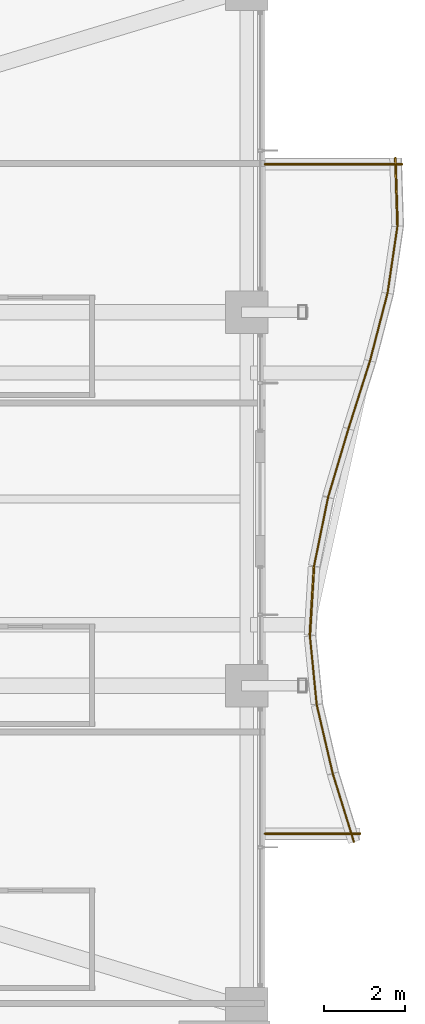
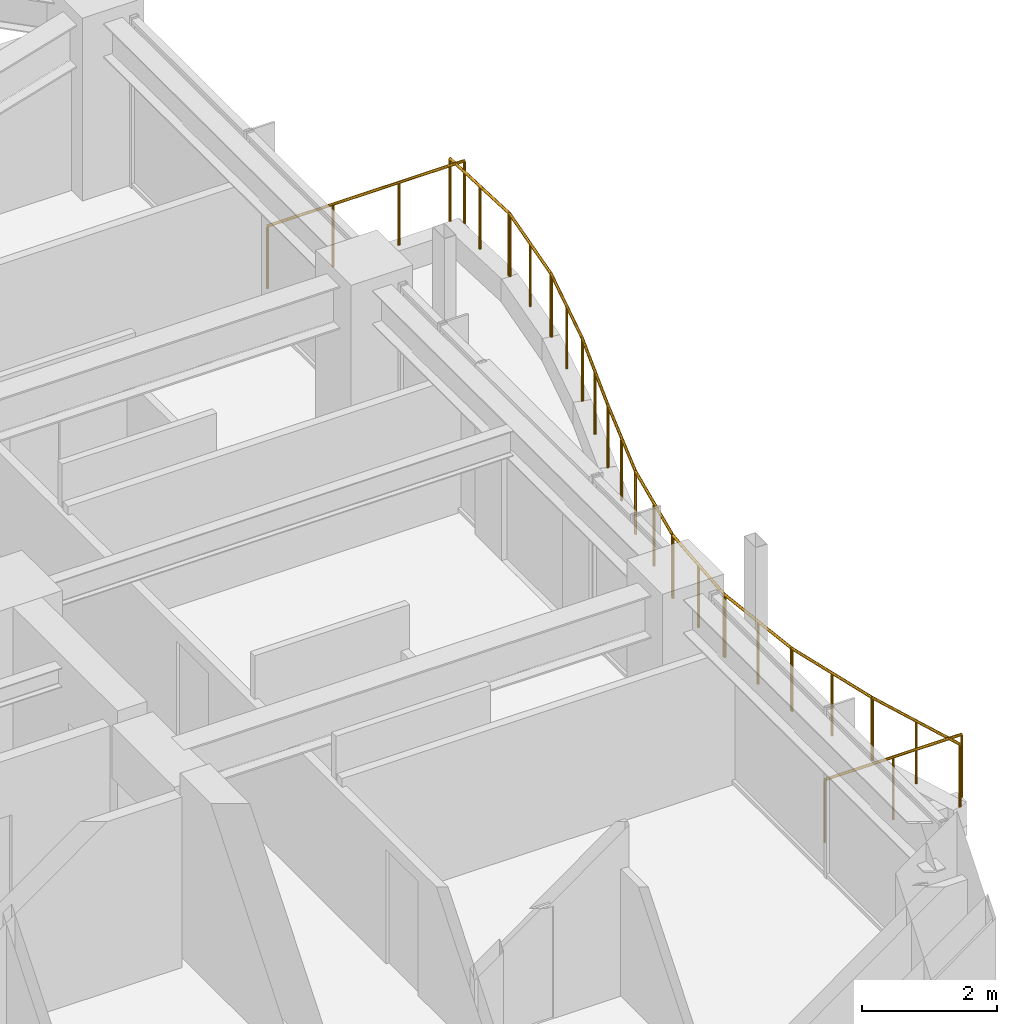
# One storey, part 38 of 38: 12 railings.
"""IFC4 building model written with IfcOpenShell, lengths in metres."""

from ifc_helpers import new_model, si_unit, direction, frame, origin, origin_2d, place, context, subcontext, project, spatial, circle, extrude, material, type_object, element, save


model = new_model("IFC4")

# Units and contexts
model_context = context("Model", 3, precision=1e-05, world=origin(), true_north=direction((0.0, 1.0)))
body_context = subcontext(model_context, "Body", "Model", "MODEL_VIEW")
ifc_project = project(units=[si_unit("LENGTHUNIT", "METRE"), si_unit("AREAUNIT", "SQUARE_METRE"), si_unit("VOLUMEUNIT", "CUBIC_METRE"), si_unit("PLANEANGLEUNIT", "RADIAN"), si_unit("MASSUNIT", "GRAM", prefix="KILO")], contexts=[model_context])

# Site, building, storey
site_placement = place(None, origin())
site = spatial("IfcSite", under=ifc_project, at=site_placement, CompositionType="ELEMENT")
building_placement = place(site_placement, origin())
building = spatial("IfcBuilding", under=site, at=building_placement, Name="Kolvaren Belvedere", CompositionType="ELEMENT")
storey_placement = place(building_placement, frame((0.0, 0.0, 121.699951171875)))
storey = spatial("IfcBuildingStorey", under=building, at=storey_placement, Name="L35", CompositionType="ELEMENT", Elevation=121.699951171875)

# Railings
ifc_material = material(Name="Anodised pale-metal aluminium & laminated glass guard", Category="aluminium")
railing_type = type_object("IfcRailingType", Name="RL-GUARD-1150", PredefinedType="GUARDRAIL", material=ifc_material)
railing_1_placement = place(storey_placement, frame((21.287109375, -8.447265625, 0.380126953125)))
element("IfcRailing", 1, at=railing_1_placement, inside=storey, type_object=railing_type, Name="L35 Exterior Deck Safety Guard BAL-E-1", PredefinedType="GUARDRAIL", context=body_context, shape_type="SweptSolid", body=[
    extrude(circle(Radius=0.02392578125, at=origin_2d()), frame((0.0, 0.0, 1.1259765625), z_axis=(-0.295831524561, 0.95524013163, 0.0), x_axis=(-0.95524013163, -0.295831524561, 0.0)), (0.0, 0.0, 1.0), 1.758544921875),
    extrude(circle(Radius=0.02099609375, at=origin_2d()), origin(), (0.0, 0.0, 1.0), 1.101806640625),
    extrude(circle(Radius=0.02099609375, at=origin_2d()), frame((-0.26025390625, 0.83984375, 0.0)), (0.0, 0.0, 1.0), 1.101806640625),
    extrude(circle(Radius=0.02099609375, at=origin_2d()), frame((-0.520263671875, 1.679931640625, 0.0)), (0.0, 0.0, 1.0), 1.101806640625),
])
railing_2_placement = place(storey_placement, frame((20.763916015625, -6.75634765625, 0.380126953125)))
element("IfcRailing", 2, at=railing_2_placement, inside=storey, type_object=railing_type, Name="L35 Exterior Deck Safety Guard BAL-E-2", PredefinedType="GUARDRAIL", context=body_context, shape_type="SweptSolid", body=[
    extrude(circle(Radius=0.02392578125, at=origin_2d()), frame((0.0, 0.0, 1.1259765625), z_axis=(-0.227019323824, 0.973890253884, 0.0), x_axis=(-0.973890253884, -0.227019323824, 0.0)), (0.0, 0.0, 1.0), 1.724853515625),
    extrude(circle(Radius=0.02099609375, at=origin_2d()), origin(), (0.0, 0.0, 1.0), 1.101806640625),
    extrude(circle(Radius=0.02099609375, at=origin_2d()), frame((-0.19580078125, 0.83984375, 0.0)), (0.0, 0.0, 1.0), 1.101806640625),
    extrude(circle(Radius=0.02099609375, at=origin_2d()), frame((-0.3916015625, 1.679931640625, 0.0)), (0.0, 0.0, 1.0), 1.101806640625),
])
railing_3_placement = place(storey_placement, frame((20.368896484375, -5.0556640625, 0.380126953125)))
element("IfcRailing", 3, at=railing_3_placement, inside=storey, type_object=railing_type, Name="L35 Exterior Deck Safety Guard BAL-E-3", PredefinedType="GUARDRAIL", context=body_context, shape_type="SweptSolid", body=[
    extrude(circle(Radius=0.02392578125, at=origin_2d()), frame((0.0, 0.0, 1.1259765625), z_axis=(-0.098343801694, 0.995152499202, 0.0), x_axis=(-0.995152499202, -0.098343801694, 0.0)), (0.0, 0.0, 1.0), 1.688232421875),
    extrude(circle(Radius=0.02099609375, at=origin_2d()), origin(), (0.0, 0.0, 1.0), 1.101806640625),
    extrude(circle(Radius=0.02099609375, at=origin_2d()), frame((-0.0830078125, 0.83984375, 0.0)), (0.0, 0.0, 1.0), 1.101806640625),
    extrude(circle(Radius=0.02099609375, at=origin_2d()), frame((-0.166015625, 1.679931640625, 0.0)), (0.0, 0.0, 1.0), 1.101806640625),
])
railing_4_placement = place(storey_placement, frame((20.202392578125, -3.350341796875, 0.380126953125)))
element("IfcRailing", 4, at=railing_4_placement, inside=storey, type_object=railing_type, Name="L35 Exterior Deck Safety Guard BAL-E-4", PredefinedType="GUARDRAIL", context=body_context, shape_type="SweptSolid", body=[
    extrude(circle(Radius=0.02392578125, at=origin_2d()), frame((0.0, 0.0, 1.1259765625), z_axis=(0.059767979379, 0.998212296378, 0.0), x_axis=(-0.998212296378, 0.059767979379, 0.0)), (0.0, 0.0, 1.0), 1.682861328125),
    extrude(circle(Radius=0.02099609375, at=origin_2d()), origin(), (0.0, 0.0, 1.0), 1.101806640625),
    extrude(circle(Radius=0.02099609375, at=origin_2d()), frame((0.05029296875, 0.83984375, 0.0)), (0.0, 0.0, 1.0), 1.101806640625),
    extrude(circle(Radius=0.02099609375, at=origin_2d()), frame((0.1005859375, 1.679931640625, 0.0)), (0.0, 0.0, 1.0), 1.101806640625),
])
railing_5_placement = place(storey_placement, frame((20.305908203125, -1.64794921875, 0.380126953125)))
element("IfcRailing", 5, at=railing_5_placement, inside=storey, type_object=railing_type, Name="L35 Exterior Deck Safety Guard BAL-E-5", PredefinedType="GUARDRAIL", context=body_context, shape_type="SweptSolid", body=[
    extrude(circle(Radius=0.02392578125, at=origin_2d()), frame((0.0, 0.0, 1.1259765625), z_axis=(0.199784246163, 0.979839912937, 0.0), x_axis=(-0.979839912937, 0.199784246163, 0.0)), (0.0, 0.0, 1.0), 1.714599609375),
    extrude(circle(Radius=0.02099609375, at=origin_2d()), origin(), (0.0, 0.0, 1.0), 1.101806640625),
    extrude(circle(Radius=0.02099609375, at=origin_2d()), frame((0.17138671875, 0.83984375, 0.0)), (0.0, 0.0, 1.0), 1.101806640625),
    extrude(circle(Radius=0.02099609375, at=origin_2d()), frame((0.342529296875, 1.679931640625, 0.0)), (0.0, 0.0, 1.0), 1.101806640625),
])
railing_6_placement = place(storey_placement, frame((20.65185546875, 0.045654296875, 0.380126953125)))
element("IfcRailing", 6, at=railing_6_placement, inside=storey, type_object=railing_type, Name="L35 Exterior Deck Safety Guard BAL-E-6", PredefinedType="GUARDRAIL", context=body_context, shape_type="SweptSolid", body=[
    extrude(circle(Radius=0.02392578125, at=origin_2d()), frame((0.0, 0.0, 1.1259765625), z_axis=(0.284880325779, 0.95856309129, 0.0), x_axis=(-0.95856309129, 0.284880325779, 0.0)), (0.0, 0.0, 1.0), 1.75244140625),
    extrude(circle(Radius=0.02099609375, at=origin_2d()), origin(), (0.0, 0.0, 1.0), 1.101806640625),
    extrude(circle(Radius=0.02099609375, at=origin_2d()), frame((0.24951171875, 0.83984375, 0.0)), (0.0, 0.0, 1.0), 1.101806640625),
    extrude(circle(Radius=0.02099609375, at=origin_2d()), frame((0.499267578125, 1.679931640625, 0.0)), (0.0, 0.0, 1.0), 1.101806640625),
])
railing_7_placement = place(storey_placement, frame((21.152099609375, 1.728515625, 0.380126953125)))
element("IfcRailing", 7, at=railing_7_placement, inside=storey, type_object=railing_type, Name="L35 Exterior Deck Safety Guard BAL-E-7", PredefinedType="GUARDRAIL", context=body_context, shape_type="SweptSolid", body=[
    extrude(circle(Radius=0.02392578125, at=origin_2d()), frame((0.0, 0.0, 1.1259765625), z_axis=(0.302397356111, 0.953181954832, 0.0), x_axis=(-0.953181954832, 0.302397356111, 0.0)), (0.0, 0.0, 1.0), 1.762451171875),
    extrude(circle(Radius=0.02099609375, at=origin_2d()), origin(), (0.0, 0.0, 1.0), 1.101806640625),
    extrude(circle(Radius=0.02099609375, at=origin_2d()), frame((0.2666015625, 0.83984375, 0.0)), (0.0, 0.0, 1.0), 1.101806640625),
    extrude(circle(Radius=0.02099609375, at=origin_2d()), frame((0.532958984375, 1.679931640625, 0.0)), (0.0, 0.0, 1.0), 1.101806640625),
])
railing_8_placement = place(storey_placement, frame((21.6826171875, 3.400146484375, 0.380126953125)))
element("IfcRailing", 8, at=railing_8_placement, inside=storey, type_object=railing_type, Name="L35 Exterior Deck Safety Guard BAL-E-8", PredefinedType="GUARDRAIL", context=body_context, shape_type="SweptSolid", body=[
    extrude(circle(Radius=0.02392578125, at=origin_2d()), frame((0.0, 0.0, 1.1259765625), z_axis=(0.250439664624, 0.968132209145, 0.0), x_axis=(-0.968132209145, 0.250439664624, 0.0)), (0.0, 0.0, 1.0), 1.7353515625),
    extrude(circle(Radius=0.02099609375, at=origin_2d()), origin(), (0.0, 0.0, 1.0), 1.101806640625),
    extrude(circle(Radius=0.02099609375, at=origin_2d()), frame((0.21728515625, 0.83984375, 0.0)), (0.0, 0.0, 1.0), 1.101806640625),
    extrude(circle(Radius=0.02099609375, at=origin_2d()), frame((0.4345703125, 1.679931640625, 0.0)), (0.0, 0.0, 1.0), 1.101806640625),
])
railing_9_placement = place(storey_placement, frame((22.114013671875, 5.063232421875, 0.380126953125)))
element("IfcRailing", 9, at=railing_9_placement, inside=storey, type_object=railing_type, Name="L35 Exterior Deck Safety Guard BAL-E-9", PredefinedType="GUARDRAIL", context=body_context, shape_type="SweptSolid", body=[
    extrude(circle(Radius=0.02392578125, at=origin_2d()), frame((0.0, 0.0, 1.1259765625), z_axis=(0.145907826437, 0.98929818871, 0.0), x_axis=(-0.98929818871, 0.145907826437, 0.0)), (0.0, 0.0, 1.0), 1.6982421875),
    extrude(circle(Radius=0.02099609375, at=origin_2d()), origin(), (0.0, 0.0, 1.0), 1.101806640625),
    extrude(circle(Radius=0.02099609375, at=origin_2d()), frame((0.1240234375, 0.840087890625, 0.0)), (0.0, 0.0, 1.0), 1.101806640625),
    extrude(circle(Radius=0.02099609375, at=origin_2d()), frame((0.247802734375, 1.68017578125, 0.0)), (0.0, 0.0, 1.0), 1.101806640625),
])
railing_10_placement = place(storey_placement, frame((22.360107421875, 6.715087890625, 0.380126953125)))
element("IfcRailing", 10, at=railing_10_placement, inside=storey, type_object=railing_type, Name="L35 Exterior Deck Safety Guard BAL-E-10", PredefinedType="GUARDRAIL", context=body_context, shape_type="SweptSolid", body=[
    extrude(circle(Radius=0.02392578125, at=origin_2d()), frame((0.0, 0.0, 1.1259765625), z_axis=(-0.031520443874, 0.999503107358, 0.0), x_axis=(-0.999503107358, -0.031520443874, 0.0)), (0.0, 0.0, 1.0), 1.6806640625),
    extrude(circle(Radius=0.02099609375, at=origin_2d()), origin(), (0.0, 0.0, 1.0), 1.101806640625),
    extrude(circle(Radius=0.02099609375, at=origin_2d()), frame((-0.0263671875, 0.83984375, 0.0)), (0.0, 0.0, 1.0), 1.101806640625),
    extrude(circle(Radius=0.02099609375, at=origin_2d()), frame((-0.052978515625, 1.679931640625, 0.0)), (0.0, 0.0, 1.0), 1.101806640625),
])
railing_11_placement = place(storey_placement, frame((22.467041015625, 8.239990234375, 0.380126953125)))
element("IfcRailing", 11, at=railing_11_placement, inside=storey, type_object=railing_type, Name="L35 Exterior Deck Safety Guard BAL-E-11", PredefinedType="GUARDRAIL", context=body_context, shape_type="SweptSolid", body=[
    extrude(circle(Radius=0.02392578125, at=origin_2d()), frame((0.0, 0.0, 1.1259765625), z_axis=(-1.0, 0.0, 0.0), x_axis=(0.0, -1.0, 0.0)), (0.0, 0.0, 1.0), 3.366943359375),
    extrude(circle(Radius=0.02099609375, at=origin_2d()), origin(), (0.0, 0.0, 1.0), 1.101806640625),
    extrude(circle(Radius=0.02099609375, at=origin_2d()), frame((-1.122314453125, 0.0, 0.0)), (0.0, 0.0, 1.0), 1.101806640625),
    extrude(circle(Radius=0.02099609375, at=origin_2d()), frame((-2.24462890625, 0.0, 0.0)), (0.0, 0.0, 1.0), 1.101806640625),
    extrude(circle(Radius=0.02099609375, at=origin_2d()), frame((-3.366943359375, 0.0, 0.0)), (0.0, 0.0, 1.0), 1.101806640625),
])
railing_12_placement = place(storey_placement, frame((19.10009765625, -8.239990234375, 0.380126953125)))
element("IfcRailing", 12, at=railing_12_placement, inside=storey, type_object=railing_type, Name="L35 Exterior Deck Safety Guard BAL-E-22", PredefinedType="GUARDRAIL", context=body_context, shape_type="SweptSolid", body=[
    extrude(circle(Radius=0.02392578125, at=origin_2d()), frame((0.0, 0.0, 1.1259765625), z_axis=(1.0, 0.0, 0.0), x_axis=(0.0, 1.0, 0.0)), (0.0, 0.0, 1.0), 2.33984375),
    extrude(circle(Radius=0.02099609375, at=origin_2d()), origin(), (0.0, 0.0, 1.0), 1.101806640625),
    extrude(circle(Radius=0.02099609375, at=origin_2d()), frame((1.169921875, 0.0, 0.0)), (0.0, 0.0, 1.0), 1.101806640625),
    extrude(circle(Radius=0.02099609375, at=origin_2d()), frame((2.33984375, 0.0, 0.0)), (0.0, 0.0, 1.0), 1.101806640625),
])

save(model, "model.ifc")
